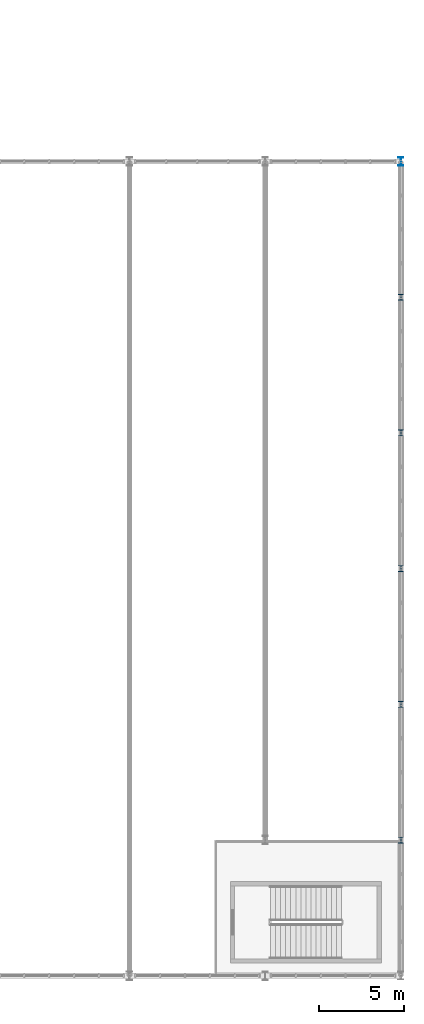
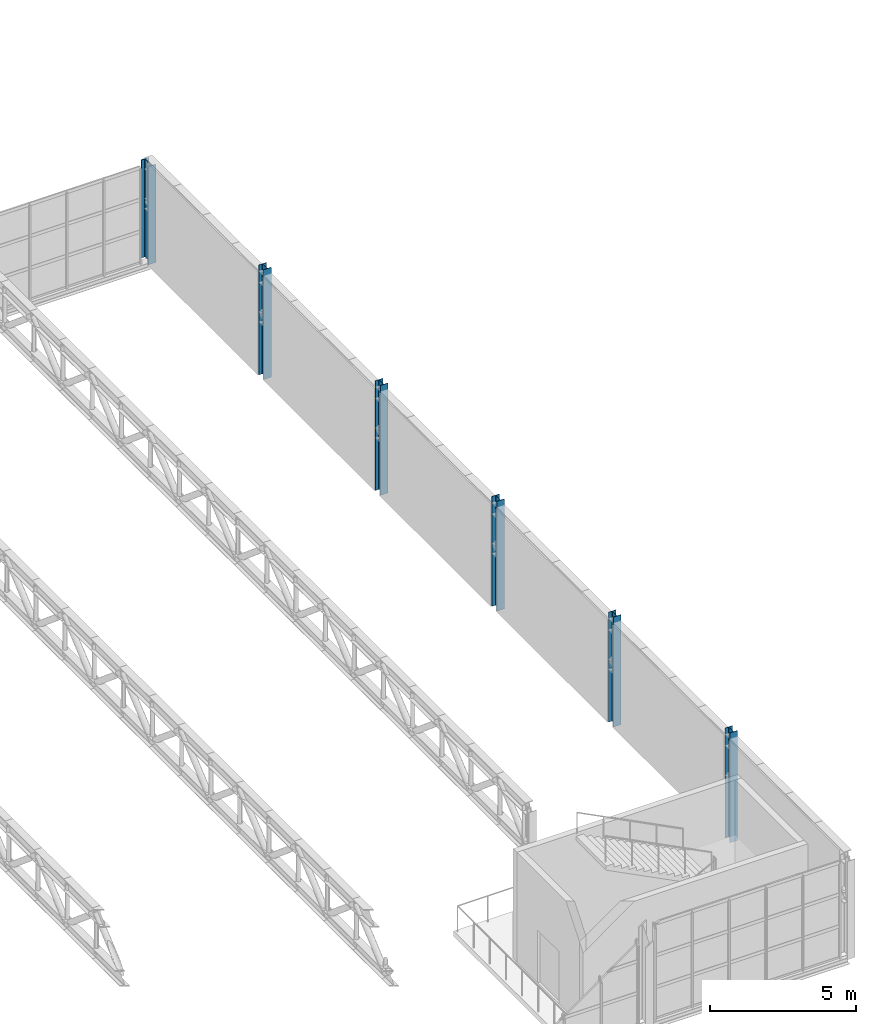
# One storey, part 5 of 67: 6 columns.
"""IFC4 building model written with IfcOpenShell, lengths in metres."""

import ifcopenshell
import ifcopenshell.guid

model = None  # the IFC model being written
_history = None  # IfcOwnerHistory: only IFC2X3 demands one
_inside = {}  # id of a spatial element -> (the spatial element, [elements in it])
_under = {}  # id of a project, library or spatial element -> (it, [spatial elements below it])
_declared = {}  # id of a project -> (the project, [libraries it declares])
_typed = {}  # id of a type object -> (the type object, [elements of that type])
_made_of = {}  # id of a material, layer set ... -> (it, [elements and type objects made of it])


def new_model(schema):
    """Start an empty IFC model of exactly this schema.

    Asked for "IFC4X3", IfcOpenShell would pick the latest addendum, in which some entities
    have other attributes; the version numbers below select the first issue.
    IFC2X3 requires an IfcOwnerHistory on every rooted entity: one is made here for all.
    """
    global model, _history
    if schema == "IFC4X3":
        model = ifcopenshell.file(schema_version=(4, 3, 0, 0))
    else:
        model = ifcopenshell.file(schema=schema)
    _inside.clear()
    _under.clear()
    _declared.clear()
    _typed.clear()
    _made_of.clear()
    _history = None
    if model.schema == "IFC2X3":
        org = make("IfcOrganization", Name="unknown")
        user = make(
            "IfcPersonAndOrganization",
            ThePerson=make("IfcPerson", FamilyName="unknown"),
            TheOrganization=org,
        )
        app = make(
            "IfcApplication",
            ApplicationDeveloper=org,
            Version="unknown",
            ApplicationFullName="unknown",
            ApplicationIdentifier="unknown",
        )
        _history = make(
            "IfcOwnerHistory",
            OwningUser=user,
            OwningApplication=app,
            ChangeAction="ADDED",
            CreationDate=0,
        )
    return model


def make(cls, **values):
    """One entity of the class cls with the attributes given. An attribute that is None is left unset."""
    return model.create_entity(
        cls, **{name: value for name, value in values.items() if value is not None}
    )


def rooted(cls, **values):
    """An entity with a GlobalId (a new one), such as an element, a storey or a relation."""
    return make(cls, GlobalId=ifcopenshell.guid.new(), OwnerHistory=_history, **values)


def si_unit(unit_type, name, prefix=None):
    """IfcSIUnit, for example si_unit("LENGTHUNIT", "METRE", prefix="MILLI")."""
    return make("IfcSIUnit", UnitType=unit_type, Prefix=prefix, Name=name)


def derived_unit(unit_type, elements):
    """IfcDerivedUnit: a product of units, each with its exponent."""
    return make(
        "IfcDerivedUnit",
        Elements=[
            make("IfcDerivedUnitElement", Unit=unit, Exponent=power)
            for unit, power in elements
        ],
        UnitType=unit_type,
    )


def assignment(units):
    """IfcUnitAssignment: the units of a project."""
    return None if units is None else make("IfcUnitAssignment", Units=units)


def point(xyz):
    """IfcCartesianPoint."""
    return None if xyz is None else make("IfcCartesianPoint", Coordinates=xyz)


def direction(xyz):
    """IfcDirection."""
    return None if xyz is None else make("IfcDirection", DirectionRatios=xyz)


def frame(location, z_axis=None, x_axis=None):
    """IfcAxis2Placement3D, a coordinate frame: its origin and axes. An axis left out is left unset."""
    return make(
        "IfcAxis2Placement3D",
        Location=point(location),
        Axis=direction(z_axis),
        RefDirection=direction(x_axis),
    )


def frame_2d(location, x_axis=None):
    """IfcAxis2Placement2D, a coordinate frame in the plane: its origin and x axis."""
    return make(
        "IfcAxis2Placement2D", Location=point(location), RefDirection=direction(x_axis)
    )


def origin():
    """The frame at (0, 0, 0) with its axes left unset."""
    return frame((0.0, 0.0, 0.0))


def origin_2d():
    """The frame at (0, 0) in the plane with its x axis left unset."""
    return frame_2d((0.0, 0.0))


def place(relative_to, where):
    """IfcLocalPlacement: puts the frame where relative to a parent placement (None: the world)."""
    return make(
        "IfcLocalPlacement", PlacementRelTo=relative_to, RelativePlacement=where
    )


def context(
    kind, dimensions, precision=None, world=None, true_north=None, identifier=None
):
    """IfcGeometricRepresentationContext, for example the 3D "Model" context."""
    return make(
        "IfcGeometricRepresentationContext",
        ContextIdentifier=identifier,
        ContextType=kind,
        CoordinateSpaceDimension=dimensions,
        Precision=precision,
        WorldCoordinateSystem=world,
        TrueNorth=true_north,
    )


def subcontext(parent, identifier, kind, view, scale=None):
    """IfcGeometricRepresentationSubContext, for example "Body" below "Model"."""
    return make(
        "IfcGeometricRepresentationSubContext",
        ContextIdentifier=identifier,
        ContextType=kind,
        ParentContext=parent,
        TargetScale=scale,
        TargetView=view,
    )


def project(units=None, contexts=None):
    """IfcProject with its units and contexts."""
    return rooted(
        "IfcProject",
        Name="project",
        RepresentationContexts=contexts,
        UnitsInContext=assignment(units),
    )


def spatial(cls, under=None, at=None, **own):
    """A site, building, storey or space (cls), placed at a placement, below another one or the project."""
    s = rooted(cls, ObjectPlacement=at, **own)
    if under is not None:
        _under.setdefault(under.id(), (under, []))[1].append(s)
    return s


def profile(cls, at=None, kind="AREA", **sizes):
    """A parametric profile (cls). Its sizes go by their IFC names, for example OverallWidth=200.0."""
    return make(cls, ProfileType=kind, Position=at, **sizes)


def i_section(**sizes):
    """IfcIShapeProfileDef."""
    return profile("IfcIShapeProfileDef", **sizes)


def extrude(swept, where, along, depth):
    """IfcExtrudedAreaSolid: the profile swept, set in the frame where, extruded along a direction by depth."""
    return make(
        "IfcExtrudedAreaSolid",
        SweptArea=swept,
        Position=where,
        ExtrudedDirection=direction(along),
        Depth=depth,
    )


def shape(context_of_items, identifier, shape_type, items):
    """IfcShapeRepresentation: the items that make up one representation, for example the "Body"."""
    return make(
        "IfcShapeRepresentation",
        ContextOfItems=context_of_items,
        RepresentationIdentifier=identifier,
        RepresentationType=shape_type,
        Items=items,
    )


def material(Name=None, Category=None):
    """IfcMaterial."""
    return make("IfcMaterial", Name=Name, Category=Category)


def material_profile(
    of_material, cross_section, Name=None, Category=None, Priority=None
):
    """IfcMaterialProfile: a cross section and its material."""
    return make(
        "IfcMaterialProfile",
        Name=Name,
        Material=of_material,
        Profile=cross_section,
        Priority=Priority,
        Category=Category,
    )


def profile_set(profiles, Name=None, composite=None):
    """IfcMaterialProfileSet."""
    return make(
        "IfcMaterialProfileSet",
        Name=Name,
        MaterialProfiles=profiles,
        CompositeProfile=composite,
    )


def made_of(thing, what):
    """Note that an element or type object is made of a material, layer set ...; save() writes the relation."""
    if what is not None:
        _made_of.setdefault(what.id(), (what, []))[1].append(thing)
    return thing


def type_object(cls, material=None, **own):
    """A type object (cls), such as IfcWallType, which elements share."""
    return made_of(rooted(cls, **own), material)


def element(
    cls,
    number,
    at=None,
    inside=None,
    cuts=None,
    type_object=None,
    material=None,
    context=None,
    identifier="Body",
    shape_type=None,
    held_by="IfcProductDefinitionShape",
    body=None,
    shapes=None,
    **own,
):
    """One element of the class cls, such as IfcWall. Its Tag is "e" and its number.

    at: its placement. inside: the storey or other place that contains it. cuts: it is an
    opening in that element (IfcRelVoidsElement). A single representation is given by context,
    identifier, shape_type and body (its items); several are given by shapes. held_by: the class
    of the entity that holds the representations. save() writes the other relations.
    """
    e = rooted(cls, Tag="e%d" % number, ObjectPlacement=at, **own)
    if body is not None:
        shapes = [shape(context, identifier, shape_type, body)]
    if shapes is not None:
        e.Representation = make(held_by, Representations=shapes)
    if inside is not None:
        _inside.setdefault(inside.id(), (inside, []))[1].append(e)
    if cuts is not None:
        rooted(
            "IfcRelVoidsElement", RelatingBuildingElement=cuts, RelatedOpeningElement=e
        )
    if type_object is not None:
        _typed.setdefault(type_object.id(), (type_object, []))[1].append(e)
    return made_of(e, material)


def aggregate(whole, parts):
    """IfcRelAggregates: a whole, such as a stair, and the parts it consists of."""
    return rooted("IfcRelAggregates", RelatingObject=whole, RelatedObjects=parts)


def save(model, path):
    """Write the relations noted so far, then the file.

    IfcRelAggregates (storeys below a building ...), IfcRelContainedInSpatialStructure (elements
    in a storey), IfcRelDefinesByType, IfcRelAssociatesMaterial and IfcRelDeclares: one each for
    every whole, place, type object, material and project.
    """
    for whole, parts in _under.values():
        aggregate(whole, parts)
    for where, things in _inside.values():
        rooted(
            "IfcRelContainedInSpatialStructure",
            RelatedElements=things,
            RelatingStructure=where,
        )
    for kind, things in _typed.values():
        rooted("IfcRelDefinesByType", RelatedObjects=things, RelatingType=kind)
    for what, things in _made_of.values():
        rooted("IfcRelAssociatesMaterial", RelatedObjects=things, RelatingMaterial=what)
    for by, libraries in _declared.values():
        rooted("IfcRelDeclares", RelatingContext=by, RelatedDefinitions=libraries)
    model.write(path)


model = new_model("IFC4")

# Units and contexts
model_context = context("Model", 3, precision=1e-05, world=origin(), true_north=direction((0.0, 1.0)))
body_context = subcontext(model_context, "Body", "Model", "MODEL_VIEW")
ifc_project = project(units=[si_unit("LENGTHUNIT", "METRE"), si_unit("AREAUNIT", "SQUARE_METRE"), si_unit("VOLUMEUNIT", "CUBIC_METRE"), si_unit("PLANEANGLEUNIT", "RADIAN"), si_unit("MASSUNIT", "GRAM", prefix="KILO"), derived_unit("THERMALTRANSMITTANCEUNIT", [(si_unit("POWERUNIT", "WATT"), 1), (si_unit("LENGTHUNIT", "METRE"), -2), (si_unit("THERMODYNAMICTEMPERATUREUNIT", "KELVIN"), -1)])], contexts=[model_context])

# Site, building, storey
site_placement = place(None, origin())
site = spatial("IfcSite", under=ifc_project, at=site_placement, CompositionType="ELEMENT")
building_placement = place(site_placement, origin())
building = spatial("IfcBuilding", under=site, at=building_placement, Name="Keldorne Ridge Multi-Sports Centre", CompositionType="ELEMENT")
storey_placement = place(building_placement, frame((0.0, 0.0, 14.0)))
storey = spatial("IfcBuildingStorey", under=building, at=storey_placement, Name="L03", CompositionType="ELEMENT", Elevation=14.0)

# Columns
ifc_material = material(Name="Steel S355", Category="steel")
ifc_material_profile_1 = material_profile(ifc_material, i_section(OverallWidth=0.300048828125, OverallDepth=0.5, WebThickness=0.014404296875, FlangeThickness=0.028076171875, FilletRadius=0.027099609375, at=origin_2d()), Name="HEB 500")
ifc_profile_set_1 = profile_set([ifc_material_profile_1], Name="Steel S355")
column_type_1 = type_object("IfcColumnType", Name="COL-C-05", PredefinedType="COLUMN", material=ifc_profile_set_1)
column_placement = place(storey_placement, frame((168.0, 54.0, 0.0), z_axis=(0.0, 0.0, 1.0), x_axis=(1.0, 0.0, 0.0)))
element("IfcColumn", 1, at=column_placement, inside=storey, type_object=column_type_1, Name="Structural column V2-TRUSS-N-09 on L03", PredefinedType="COLUMN", context=body_context, shape_type="SweptSolid", body=[
    extrude(i_section(OverallWidth=0.300048828125, OverallDepth=0.5, WebThickness=0.014404296875, FlangeThickness=0.028076171875, FilletRadius=0.027099609375, at=origin_2d()), origin(), (0.0, 0.0, 1.0), 4.110107421875),
])
ifc_material_profile_2 = material_profile(ifc_material, i_section(OverallWidth=0.300048828125, OverallDepth=0.35009765625, WebThickness=0.010009765625, FlangeThickness=0.017578125, FilletRadius=0.027099609375, at=origin_2d()), Name="HEA 360")
ifc_profile_set_2 = profile_set([ifc_material_profile_2], Name="Steel S355")
column_type_2 = type_object("IfcColumnType", Name="COL-C-16", PredefinedType="COLUMN", material=ifc_profile_set_2)
for number, where, z_axis, x_axis, name in (
    (2, (168.0, 14.0, 0.0), (0.0, 0.0, 1.0), (1.0, 0.0, 0.0), "Structural column V2-GABLE-E-01 on L03"),
    (3, (168.0, 22.0, 0.0), (0.0, 0.0, 1.0), (1.0, 0.0, 0.0), "Structural column V2-GABLE-E-02 on L03"),
    (4, (168.0, 30.0, 0.0), (0.0, 0.0, 1.0), (1.0, 0.0, 0.0), "Structural column V2-GABLE-E-03 on L03"),
    (5, (168.0, 38.0, 0.0), (0.0, 0.0, 1.0), (1.0, 0.0, 0.0), "Structural column V2-GABLE-E-04 on L03"),
    (6, (168.0, 46.0, 0.0), (0.0, 0.0, 1.0), (1.0, 0.0, 0.0), "Structural column V2-GABLE-E-05 on L03"),
):
    element("IfcColumn", number, at=place(storey_placement, frame(where, z_axis=z_axis, x_axis=x_axis)), inside=storey, type_object=column_type_2, Name=name, PredefinedType="COLUMN", context=body_context, shape_type="SweptSolid", body=[
        extrude(i_section(OverallWidth=0.300048828125, OverallDepth=0.35009765625, WebThickness=0.010009765625, FlangeThickness=0.017578125, FilletRadius=0.027099609375, at=origin_2d()), origin(), (0.0, 0.0, 1.0), 4.60009765625),
    ])

save(model, "model.ifc")
